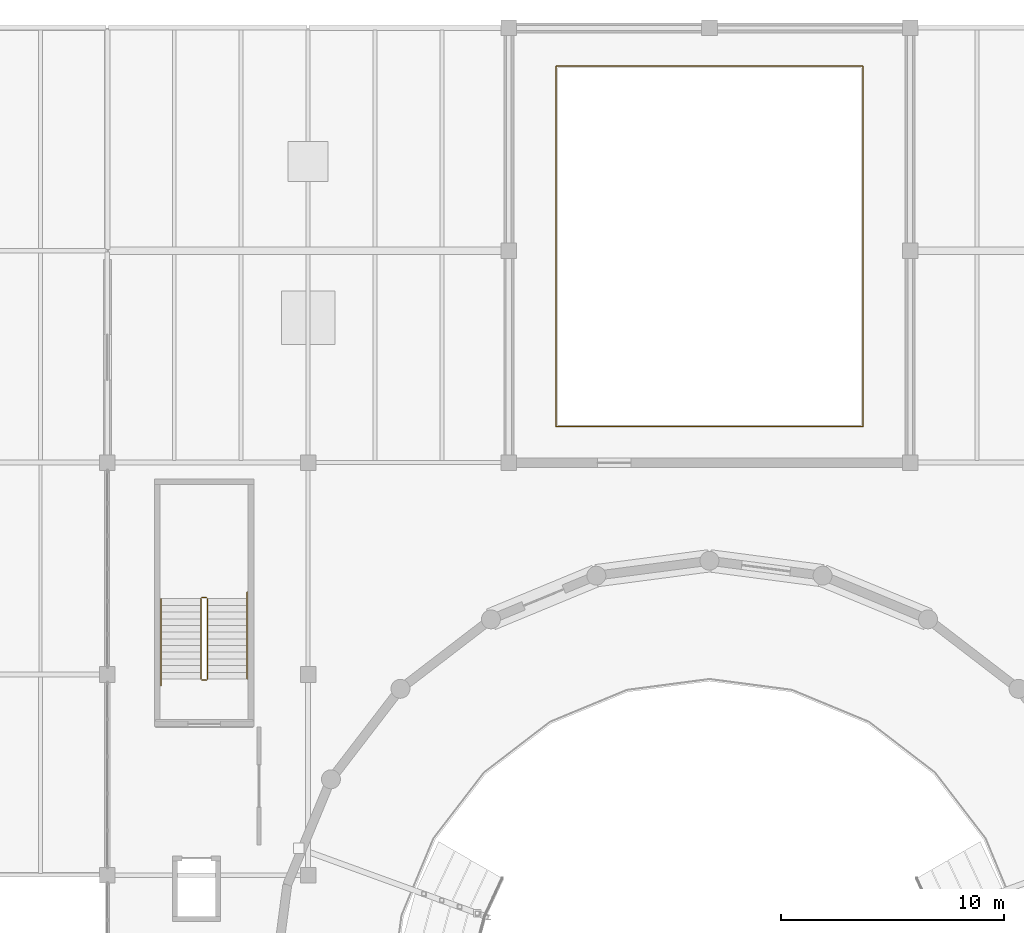
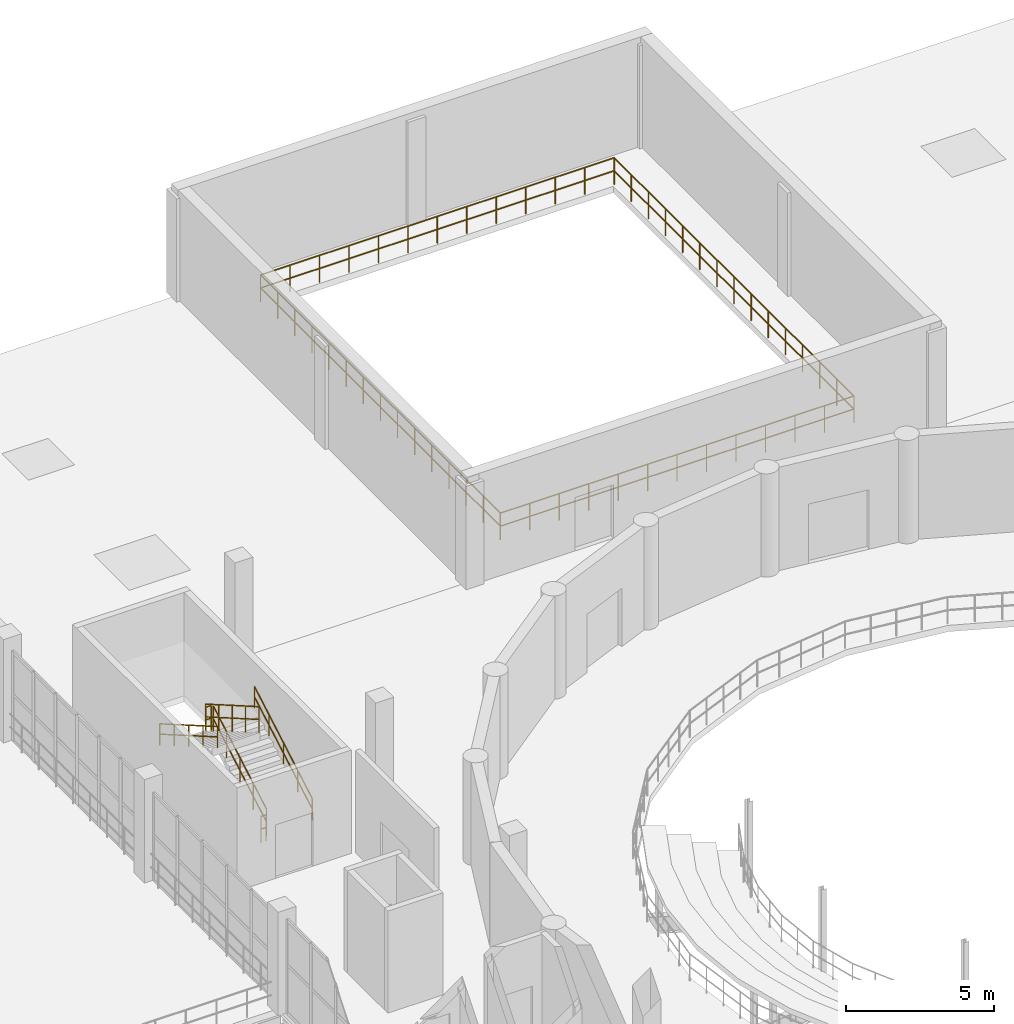
# One storey, part 70 of 73: 7 railings.
"""IFC4 building model written with IfcOpenShell, lengths in metres."""

from ifc_helpers import new_model, si_unit, direction, frame, origin, origin_2d, place, context, subcontext, project, spatial, circle, extrude, material, type_object, element, save


model = new_model("IFC4")

# Units and contexts
model_context = context("Model", 3, precision=1e-05, world=origin(), true_north=direction((0.0, 1.0)))
body_context = subcontext(model_context, "Body", "Model", "MODEL_VIEW")
ifc_project = project(units=[si_unit("LENGTHUNIT", "METRE"), si_unit("AREAUNIT", "SQUARE_METRE"), si_unit("VOLUMEUNIT", "CUBIC_METRE"), si_unit("PLANEANGLEUNIT", "RADIAN"), si_unit("MASSUNIT", "GRAM", prefix="KILO")], contexts=[model_context])

# Site, building, storey
site_placement = place(None, origin())
site = spatial("IfcSite", under=ifc_project, at=site_placement, CompositionType="ELEMENT")
building_placement = place(site_placement, origin())
building = spatial("IfcBuilding", under=site, at=building_placement, Name="Marnock Terrace Opera House", CompositionType="ELEMENT")
storey_placement = place(building_placement, frame((0.0, 0.0, 14.699951171875)))
storey = spatial("IfcBuildingStorey", under=building, at=storey_placement, Name="L03", CompositionType="ELEMENT", Elevation=14.699951171875)

# Railings
ifc_material = material(Name="Architectural bronze balustrade")
railing_type_1 = type_object("IfcRailingType", Name="RL-ATRIUM-1120", PredefinedType="BALUSTRADE", material=ifc_material)
railing_1_placement = place(storey_placement, frame((75.1201171875, 86.1201171875, 0.0)))
element("IfcRailing", 1, at=railing_1_placement, inside=storey, type_object=railing_type_1, Name="L03 floor opening balustrade FLY-VOID", PredefinedType="BALUSTRADE", context=body_context, shape_type="SweptSolid", body=[
    extrude(circle(Radius=0.02392578125, at=origin_2d()), frame((0.0, 0.0, 1.09619140625), z_axis=(1.0, 0.0, 0.0), x_axis=(0.0, 1.0, 0.0)), (0.0, 0.0, 1.0), 13.759765625),
    extrude(circle(Radius=0.02392578125, at=origin_2d()), frame((0.0, 0.0, 0.56005859375), z_axis=(1.0, 0.0, 0.0), x_axis=(0.0, 1.0, 0.0)), (0.0, 0.0, 1.0), 13.759765625),
    extrude(circle(Radius=0.02392578125, at=origin_2d()), frame((13.759765625, 0.0, 1.09619140625), z_axis=(0.0, 1.0, 0.0), x_axis=(-1.0, 0.0, 0.0)), (0.0, 0.0, 1.0), 16.159912109375),
    extrude(circle(Radius=0.02392578125, at=origin_2d()), frame((13.759765625, 0.0, 0.56005859375), z_axis=(0.0, 1.0, 0.0), x_axis=(-1.0, 0.0, 0.0)), (0.0, 0.0, 1.0), 16.159912109375),
    extrude(circle(Radius=0.02392578125, at=origin_2d()), frame((13.759765625, 16.159912109375, 1.09619140625), z_axis=(-1.0, 0.0, 0.0), x_axis=(0.0, -1.0, 0.0)), (0.0, 0.0, 1.0), 13.759765625),
    extrude(circle(Radius=0.02392578125, at=origin_2d()), frame((13.759765625, 16.159912109375, 0.56005859375), z_axis=(-1.0, 0.0, 0.0), x_axis=(0.0, -1.0, 0.0)), (0.0, 0.0, 1.0), 13.759765625),
    extrude(circle(Radius=0.02392578125, at=origin_2d()), frame((0.0, 16.159912109375, 1.09619140625), z_axis=(0.0, -1.0, 0.0), x_axis=(1.0, 0.0, 0.0)), (0.0, 0.0, 1.0), 16.159912109375),
    extrude(circle(Radius=0.02392578125, at=origin_2d()), frame((0.0, 16.159912109375, 0.56005859375), z_axis=(0.0, -1.0, 0.0), x_axis=(1.0, 0.0, 0.0)), (0.0, 0.0, 1.0), 16.159912109375),
    extrude(circle(Radius=0.02099609375, at=origin_2d()), origin(), (0.0, 0.0, 1.0), 1.072021484375),
    extrude(circle(Radius=0.02099609375, at=origin_2d()), frame((1.146728515625, 0.0, 0.0)), (0.0, 0.0, 1.0), 1.072021484375),
    extrude(circle(Radius=0.02099609375, at=origin_2d()), frame((2.293212890625, 0.0, 0.0)), (0.0, 0.0, 1.0), 1.072021484375),
    extrude(circle(Radius=0.02099609375, at=origin_2d()), frame((3.43994140625, 0.0, 0.0)), (0.0, 0.0, 1.0), 1.072021484375),
    extrude(circle(Radius=0.02099609375, at=origin_2d()), frame((4.586669921875, 0.0, 0.0)), (0.0, 0.0, 1.0), 1.072021484375),
    extrude(circle(Radius=0.02099609375, at=origin_2d()), frame((5.733154296875, 0.0, 0.0)), (0.0, 0.0, 1.0), 1.072021484375),
    extrude(circle(Radius=0.02099609375, at=origin_2d()), frame((6.8798828125, 0.0, 0.0)), (0.0, 0.0, 1.0), 1.072021484375),
    extrude(circle(Radius=0.02099609375, at=origin_2d()), frame((8.026611328125, 0.0, 0.0)), (0.0, 0.0, 1.0), 1.072021484375),
    extrude(circle(Radius=0.02099609375, at=origin_2d()), frame((9.173095703125, 0.0, 0.0)), (0.0, 0.0, 1.0), 1.072021484375),
    extrude(circle(Radius=0.02099609375, at=origin_2d()), frame((10.31982421875, 0.0, 0.0)), (0.0, 0.0, 1.0), 1.072021484375),
    extrude(circle(Radius=0.02099609375, at=origin_2d()), frame((11.466552734375, 0.0, 0.0)), (0.0, 0.0, 1.0), 1.072021484375),
    extrude(circle(Radius=0.02099609375, at=origin_2d()), frame((12.613037109375, 0.0, 0.0)), (0.0, 0.0, 1.0), 1.072021484375),
    extrude(circle(Radius=0.02099609375, at=origin_2d()), frame((13.759765625, 0.0, 0.0)), (0.0, 0.0, 1.0), 1.072021484375),
    extrude(circle(Radius=0.02099609375, at=origin_2d()), frame((13.759765625, 1.154296875, 0.0)), (0.0, 0.0, 1.0), 1.072021484375),
    extrude(circle(Radius=0.02099609375, at=origin_2d()), frame((13.759765625, 2.30859375, 0.0)), (0.0, 0.0, 1.0), 1.072021484375),
    extrude(circle(Radius=0.02099609375, at=origin_2d()), frame((13.759765625, 3.462890625, 0.0)), (0.0, 0.0, 1.0), 1.072021484375),
    extrude(circle(Radius=0.02099609375, at=origin_2d()), frame((13.759765625, 4.6171875, 0.0)), (0.0, 0.0, 1.0), 1.072021484375),
    extrude(circle(Radius=0.02099609375, at=origin_2d()), frame((13.759765625, 5.771484375, 0.0)), (0.0, 0.0, 1.0), 1.072021484375),
    extrude(circle(Radius=0.02099609375, at=origin_2d()), frame((13.759765625, 6.92578125, 0.0)), (0.0, 0.0, 1.0), 1.072021484375),
    extrude(circle(Radius=0.02099609375, at=origin_2d()), frame((13.759765625, 8.080078125, 0.0)), (0.0, 0.0, 1.0), 1.072021484375),
    extrude(circle(Radius=0.02099609375, at=origin_2d()), frame((13.759765625, 9.234130859375, 0.0)), (0.0, 0.0, 1.0), 1.072021484375),
    extrude(circle(Radius=0.02099609375, at=origin_2d()), frame((13.759765625, 10.388427734375, 0.0)), (0.0, 0.0, 1.0), 1.072021484375),
    extrude(circle(Radius=0.02099609375, at=origin_2d()), frame((13.759765625, 11.542724609375, 0.0)), (0.0, 0.0, 1.0), 1.072021484375),
    extrude(circle(Radius=0.02099609375, at=origin_2d()), frame((13.759765625, 12.697021484375, 0.0)), (0.0, 0.0, 1.0), 1.072021484375),
    extrude(circle(Radius=0.02099609375, at=origin_2d()), frame((13.759765625, 13.851318359375, 0.0)), (0.0, 0.0, 1.0), 1.072021484375),
    extrude(circle(Radius=0.02099609375, at=origin_2d()), frame((13.759765625, 15.005615234375, 0.0)), (0.0, 0.0, 1.0), 1.072021484375),
    extrude(circle(Radius=0.02099609375, at=origin_2d()), frame((13.759765625, 16.159912109375, 0.0)), (0.0, 0.0, 1.0), 1.072021484375),
    extrude(circle(Radius=0.02099609375, at=origin_2d()), frame((12.613037109375, 16.159912109375, 0.0)), (0.0, 0.0, 1.0), 1.072021484375),
    extrude(circle(Radius=0.02099609375, at=origin_2d()), frame((11.466552734375, 16.159912109375, 0.0)), (0.0, 0.0, 1.0), 1.072021484375),
    extrude(circle(Radius=0.02099609375, at=origin_2d()), frame((10.31982421875, 16.159912109375, 0.0)), (0.0, 0.0, 1.0), 1.072021484375),
    extrude(circle(Radius=0.02099609375, at=origin_2d()), frame((9.173095703125, 16.159912109375, 0.0)), (0.0, 0.0, 1.0), 1.072021484375),
    extrude(circle(Radius=0.02099609375, at=origin_2d()), frame((8.026611328125, 16.159912109375, 0.0)), (0.0, 0.0, 1.0), 1.072021484375),
    extrude(circle(Radius=0.02099609375, at=origin_2d()), frame((6.8798828125, 16.159912109375, 0.0)), (0.0, 0.0, 1.0), 1.072021484375),
    extrude(circle(Radius=0.02099609375, at=origin_2d()), frame((5.733154296875, 16.159912109375, 0.0)), (0.0, 0.0, 1.0), 1.072021484375),
    extrude(circle(Radius=0.02099609375, at=origin_2d()), frame((4.586669921875, 16.159912109375, 0.0)), (0.0, 0.0, 1.0), 1.072021484375),
    extrude(circle(Radius=0.02099609375, at=origin_2d()), frame((3.43994140625, 16.159912109375, 0.0)), (0.0, 0.0, 1.0), 1.072021484375),
    extrude(circle(Radius=0.02099609375, at=origin_2d()), frame((2.293212890625, 16.159912109375, 0.0)), (0.0, 0.0, 1.0), 1.072021484375),
    extrude(circle(Radius=0.02099609375, at=origin_2d()), frame((1.146728515625, 16.159912109375, 0.0)), (0.0, 0.0, 1.0), 1.072021484375),
    extrude(circle(Radius=0.02099609375, at=origin_2d()), frame((0.0, 16.159912109375, 0.0)), (0.0, 0.0, 1.0), 1.072021484375),
    extrude(circle(Radius=0.02099609375, at=origin_2d()), frame((0.0, 15.005615234375, 0.0)), (0.0, 0.0, 1.0), 1.072021484375),
    extrude(circle(Radius=0.02099609375, at=origin_2d()), frame((0.0, 13.851318359375, 0.0)), (0.0, 0.0, 1.0), 1.072021484375),
    extrude(circle(Radius=0.02099609375, at=origin_2d()), frame((0.0, 12.697021484375, 0.0)), (0.0, 0.0, 1.0), 1.072021484375),
    extrude(circle(Radius=0.02099609375, at=origin_2d()), frame((0.0, 11.542724609375, 0.0)), (0.0, 0.0, 1.0), 1.072021484375),
    extrude(circle(Radius=0.02099609375, at=origin_2d()), frame((0.0, 10.388427734375, 0.0)), (0.0, 0.0, 1.0), 1.072021484375),
    extrude(circle(Radius=0.02099609375, at=origin_2d()), frame((0.0, 9.234130859375, 0.0)), (0.0, 0.0, 1.0), 1.072021484375),
    extrude(circle(Radius=0.02099609375, at=origin_2d()), frame((0.0, 8.080078125, 0.0)), (0.0, 0.0, 1.0), 1.072021484375),
    extrude(circle(Radius=0.02099609375, at=origin_2d()), frame((0.0, 6.92578125, 0.0)), (0.0, 0.0, 1.0), 1.072021484375),
    extrude(circle(Radius=0.02099609375, at=origin_2d()), frame((0.0, 5.771484375, 0.0)), (0.0, 0.0, 1.0), 1.072021484375),
    extrude(circle(Radius=0.02099609375, at=origin_2d()), frame((0.0, 4.6171875, 0.0)), (0.0, 0.0, 1.0), 1.072021484375),
    extrude(circle(Radius=0.02099609375, at=origin_2d()), frame((0.0, 3.462890625, 0.0)), (0.0, 0.0, 1.0), 1.072021484375),
    extrude(circle(Radius=0.02099609375, at=origin_2d()), frame((0.0, 2.30859375, 0.0)), (0.0, 0.0, 1.0), 1.072021484375),
    extrude(circle(Radius=0.02099609375, at=origin_2d()), frame((0.0, 1.154296875, 0.0)), (0.0, 0.0, 1.0), 1.072021484375),
])
railing_type_2 = type_object("IfcRailingType", Name="RL-GUARD-1100", PredefinedType="GUARDRAIL", material=ifc_material)
railing_2_placement = place(storey_placement, frame((59.489990234375, 74.800048828125, 0.173095703125)))
element("IfcRailing", 2, at=railing_2_placement, inside=storey, type_object=railing_type_2, Name="L03 ST-03 stair guard 1", PredefinedType="GUARDRAIL", context=body_context, shape_type="SweptSolid", body=[
    extrude(circle(Radius=0.02392578125, at=origin_2d()), frame((0.0, 0.0, 1.076171875), z_axis=(0.0, 0.866178740119, 0.499734319579), x_axis=(-1.0, 0.0, 0.0)), (0.0, 0.0, 1.0), 4.156005859375),
    extrude(circle(Radius=0.02392578125, at=origin_2d()), frame((0.0, 0.0, 0.550048828125), z_axis=(0.0, 0.866178740119, 0.499734319579), x_axis=(-1.0, 0.0, 0.0)), (0.0, 0.0, 1.0), 4.156005859375),
    extrude(circle(Radius=0.02099609375, at=origin_2d()), origin(), (0.0, 0.0, 1.0), 1.052001953125),
    extrude(circle(Radius=0.02099609375, at=origin_2d()), frame((0.0, 0.89990234375, 0.519287109375)), (0.0, 0.0, 1.0), 1.052001953125),
    extrude(circle(Radius=0.02099609375, at=origin_2d()), frame((0.0, 1.7998046875, 1.03857421875)), (0.0, 0.0, 1.0), 1.052001953125),
    extrude(circle(Radius=0.02099609375, at=origin_2d()), frame((0.0, 2.699951171875, 1.5576171875)), (0.0, 0.0, 1.0), 1.052001953125),
    extrude(circle(Radius=0.02099609375, at=origin_2d()), frame((0.0, 3.599853515625, 2.076904296875)), (0.0, 0.0, 1.0), 1.052001953125),
])
railing_3_placement = place(storey_placement, frame((59.43994140625, 78.449951171875, 2.25)))
element("IfcRailing", 3, at=railing_3_placement, inside=storey, type_object=railing_type_2, Name="L03 ST-03 stair guard 2", PredefinedType="GUARDRAIL", context=body_context, shape_type="SweptSolid", body=[
    extrude(circle(Radius=0.02392578125, at=origin_2d()), frame((0.0, 0.0, 1.076171875), z_axis=(-1.0, 0.0, 0.0), x_axis=(0.0, -1.0, 0.0)), (0.0, 0.0, 1.0), 0.199951171875),
    extrude(circle(Radius=0.02392578125, at=origin_2d()), frame((0.0, 0.0, 0.550048828125), z_axis=(-1.0, 0.0, 0.0), x_axis=(0.0, -1.0, 0.0)), (0.0, 0.0, 1.0), 0.199951171875),
    extrude(circle(Radius=0.02099609375, at=origin_2d()), origin(), (0.0, 0.0, 1.0), 1.052001953125),
    extrude(circle(Radius=0.02099609375, at=origin_2d()), frame((-0.199951171875, 0.0, 0.0)), (0.0, 0.0, 1.0), 1.052001953125),
])
railing_4_placement = place(storey_placement, frame((59.18994140625, 78.39990234375, 2.423095703125)))
element("IfcRailing", 4, at=railing_4_placement, inside=storey, type_object=railing_type_2, Name="L03 ST-03 stair guard 3", PredefinedType="GUARDRAIL", context=body_context, shape_type="SweptSolid", body=[
    extrude(circle(Radius=0.02392578125, at=origin_2d()), frame((0.0, 0.0, 1.076171875), z_axis=(0.0, -0.866178740119, 0.499734319579), x_axis=(1.0, 0.0, 0.0)), (0.0, 0.0, 1.0), 4.156005859375),
    extrude(circle(Radius=0.02392578125, at=origin_2d()), frame((0.0, 0.0, 0.550048828125), z_axis=(0.0, -0.866178740119, 0.499734319579), x_axis=(1.0, 0.0, 0.0)), (0.0, 0.0, 1.0), 4.156005859375),
    extrude(circle(Radius=0.02099609375, at=origin_2d()), origin(), (0.0, 0.0, 1.0), 1.052001953125),
    extrude(circle(Radius=0.02099609375, at=origin_2d()), frame((0.0, -0.89990234375, 0.519287109375)), (0.0, 0.0, 1.0), 1.052001953125),
    extrude(circle(Radius=0.02099609375, at=origin_2d()), frame((0.0, -1.7998046875, 1.03857421875)), (0.0, 0.0, 1.0), 1.052001953125),
    extrude(circle(Radius=0.02099609375, at=origin_2d()), frame((0.0, -2.699951171875, 1.5576171875)), (0.0, 0.0, 1.0), 1.052001953125),
    extrude(circle(Radius=0.02099609375, at=origin_2d()), frame((0.0, -3.599853515625, 2.076904296875)), (0.0, 0.0, 1.0), 1.052001953125),
])
railing_5_placement = place(storey_placement, frame((59.43994140625, 74.75, 0.0)))
element("IfcRailing", 5, at=railing_5_placement, inside=storey, type_object=railing_type_2, Name="L03 ST-03 stair guard 4", PredefinedType="GUARDRAIL", context=body_context, shape_type="SweptSolid", body=[
    extrude(circle(Radius=0.02392578125, at=origin_2d()), frame((0.0, 0.0, 1.076171875), z_axis=(-1.0, 0.0, 0.0), x_axis=(0.0, -1.0, 0.0)), (0.0, 0.0, 1.0), 0.199951171875),
    extrude(circle(Radius=0.02392578125, at=origin_2d()), frame((0.0, 0.0, 0.550048828125), z_axis=(-1.0, 0.0, 0.0), x_axis=(0.0, -1.0, 0.0)), (0.0, 0.0, 1.0), 0.199951171875),
    extrude(circle(Radius=0.02099609375, at=origin_2d()), origin(), (0.0, 0.0, 1.0), 1.052001953125),
    extrude(circle(Radius=0.02099609375, at=origin_2d()), frame((-0.199951171875, 0.0, 0.0)), (0.0, 0.0, 1.0), 1.052001953125),
])
railing_type_3 = type_object("IfcRailingType", Name="RL-HAND-900", PredefinedType="HANDRAIL", material=ifc_material)
railing_6_placement = place(storey_placement, frame((61.27001953125, 74.800048828125, 0.18505859375)))
element("IfcRailing", 6, at=railing_6_placement, inside=storey, type_object=railing_type_3, Name="L03 ST-03 stair handrail 1", PredefinedType="HANDRAIL", context=body_context, shape_type="SweptSolid", body=[
    extrude(circle(Radius=0.02392578125, at=origin_2d()), frame((0.0, 0.0, 0.8759765625), z_axis=(0.0, 0.866180169578, 0.49973184192), x_axis=(-1.0, 0.0, 0.0)), (0.0, 0.0, 1.0), 4.50244140625),
    extrude(circle(Radius=0.02392578125, at=origin_2d()), frame((0.0, 0.0, 0.449951171875), z_axis=(0.0, 0.866180169578, 0.49973184192), x_axis=(-1.0, 0.0, 0.0)), (0.0, 0.0, 1.0), 4.50244140625),
    extrude(circle(Radius=0.02099609375, at=origin_2d()), origin(), (0.0, 0.0, 1.0), 0.851806640625),
    extrude(circle(Radius=0.02099609375, at=origin_2d()), frame((0.0, 0.97509765625, 0.5625)), (0.0, 0.0, 1.0), 0.851806640625),
    extrude(circle(Radius=0.02099609375, at=origin_2d()), frame((0.0, 1.949951171875, 1.125)), (0.0, 0.0, 1.0), 0.851806640625),
    extrude(circle(Radius=0.02099609375, at=origin_2d()), frame((0.0, 2.9248046875, 1.6875)), (0.0, 0.0, 1.0), 0.851806640625),
    extrude(circle(Radius=0.02099609375, at=origin_2d()), frame((0.0, 3.89990234375, 2.25)), (0.0, 0.0, 1.0), 0.851806640625),
])
railing_7_placement = place(storey_placement, frame((57.409912109375, 78.39990234375, 2.43505859375)))
element("IfcRailing", 7, at=railing_7_placement, inside=storey, type_object=railing_type_3, Name="L03 ST-03 stair handrail 2", PredefinedType="HANDRAIL", context=body_context, shape_type="SweptSolid", body=[
    extrude(circle(Radius=0.02392578125, at=origin_2d()), frame((0.0, 0.0, 0.8759765625), z_axis=(0.0, -0.866180169578, 0.49973184192), x_axis=(1.0, 0.0, 0.0)), (0.0, 0.0, 1.0), 4.50244140625),
    extrude(circle(Radius=0.02392578125, at=origin_2d()), frame((0.0, 0.0, 0.449951171875), z_axis=(0.0, -0.866180169578, 0.49973184192), x_axis=(1.0, 0.0, 0.0)), (0.0, 0.0, 1.0), 4.50244140625),
    extrude(circle(Radius=0.02099609375, at=origin_2d()), origin(), (0.0, 0.0, 1.0), 0.851806640625),
    extrude(circle(Radius=0.02099609375, at=origin_2d()), frame((0.0, -0.97509765625, 0.5625)), (0.0, 0.0, 1.0), 0.851806640625),
    extrude(circle(Radius=0.02099609375, at=origin_2d()), frame((0.0, -1.949951171875, 1.125)), (0.0, 0.0, 1.0), 0.851806640625),
    extrude(circle(Radius=0.02099609375, at=origin_2d()), frame((0.0, -2.9248046875, 1.6875)), (0.0, 0.0, 1.0), 0.851806640625),
    extrude(circle(Radius=0.02099609375, at=origin_2d()), frame((0.0, -3.89990234375, 2.25)), (0.0, 0.0, 1.0), 0.851806640625),
])

save(model, "model.ifc")
